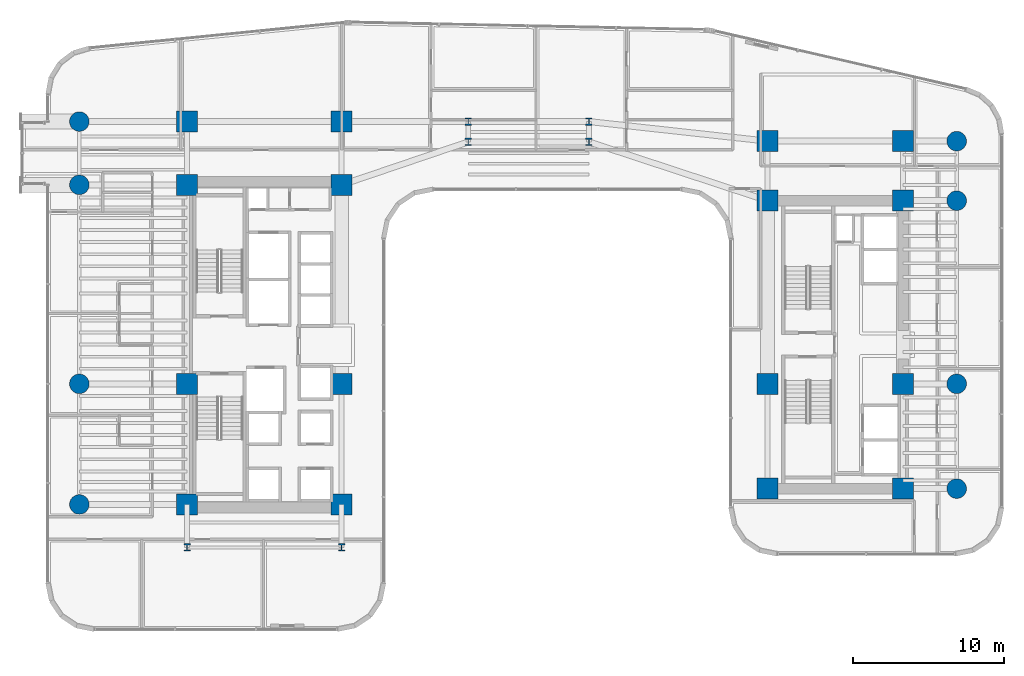
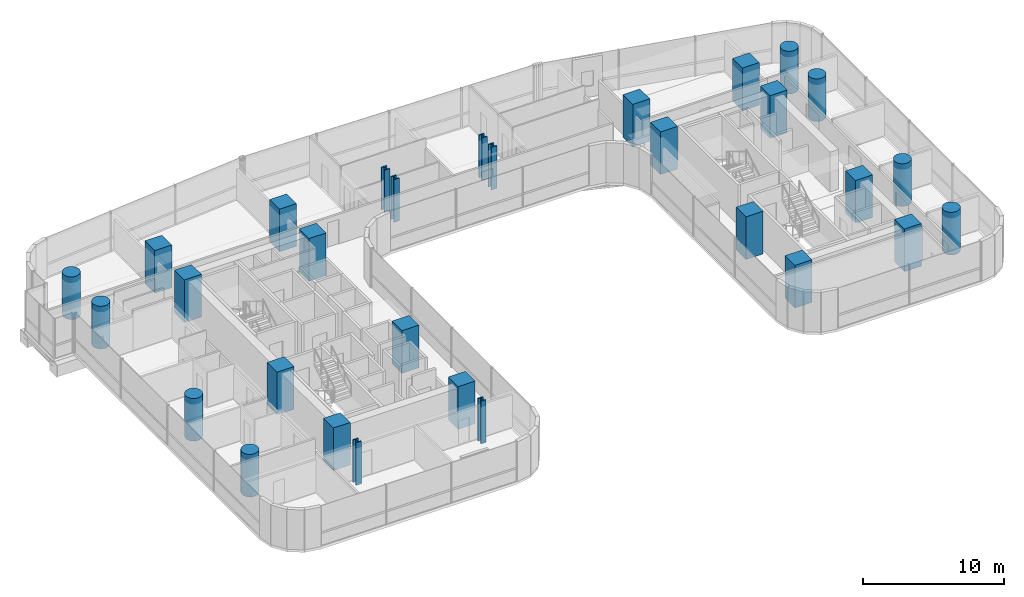
# One storey, part 1 of 41: 30 columns.
"""IFC4 building model written with IfcOpenShell, lengths in metres."""

from ifc_helpers import new_model, si_unit, direction, frame, origin, origin_2d, place, context, subcontext, project, spatial, rectangle, circle, i_section, extrude, source, transform, mapped, material, material_profile, profile_set, type_object, element, save


model = new_model("IFC4")

# Units and contexts
model_context = context("Model", 3, precision=1e-05, world=origin(), true_north=direction((0.0, 1.0)))
body_context = subcontext(model_context, "Body", "Model", "MODEL_VIEW")
ifc_project = project(units=[si_unit("LENGTHUNIT", "METRE"), si_unit("AREAUNIT", "SQUARE_METRE"), si_unit("VOLUMEUNIT", "CUBIC_METRE"), si_unit("PLANEANGLEUNIT", "RADIAN"), si_unit("MASSUNIT", "GRAM", prefix="KILO")], contexts=[model_context])

# Site, building, storey
site_placement = place(None, origin())
site = spatial("IfcSite", under=ifc_project, at=site_placement, CompositionType="ELEMENT")
building_placement = place(site_placement, origin())
building = spatial("IfcBuilding", under=site, at=building_placement, Name="Valdorenza Pilgrim Sanctuary Tower", CompositionType="ELEMENT")
storey_placement = place(building_placement, frame((0.0, 0.0, 88.89990234375)))
storey = spatial("IfcBuildingStorey", under=building, at=storey_placement, Name="L22", CompositionType="ELEMENT", Elevation=88.89990234375)

# Columns
ifc_material_1 = material(Name="Concrete C60/75", Category="concrete")
ifc_material_profile_1 = material_profile(ifc_material_1, circle(Radius=0.64990234375, at=origin_2d()), Name="RC D1300")
ifc_profile_set_1 = profile_set([ifc_material_profile_1], Name="Concrete C60/75")
column_type_1 = type_object("IfcColumnType", Name="COL-RND-1300", PredefinedType="COLUMN", material=ifc_profile_set_1)
shared_shape_1 = source(origin(), body_context, "Body", "SweptSolid", [
    extrude(circle(Radius=0.64990234375, at=origin_2d()), origin(), (0.0, 0.0, 1.0), 3.7001953125),
])
for number, where, z_axis, x_axis, name in (
    (1, (-29.800048828125, -10.60009765625, 0.0), (0.0, 0.0, 1.0), (1.0, 0.0, 0.0), "L22 Perimeter Column WA-W-S1"),
    (2, (-29.800048828125, -2.60009765625, 0.0), (0.0, 0.0, 1.0), (1.0, 0.0, 0.0), "L22 Perimeter Column WA-W-M0"),
    (3, (-29.800048828125, 10.60009765625, 0.0), (0.0, 0.0, 1.0), (1.0, 0.0, 0.0), "L22 Perimeter Column WA-W-N1"),
    (4, (-29.800048828125, 14.800048828125, 0.0), (0.0, 0.0, 1.0), (1.0, 0.0, 0.0), "L22 Perimeter Column WA-W-N2"),
    (5, (28.39990234375, -9.550048828125, 0.0), (0.0, 0.0, 1.0), (1.0, 0.0, 0.0), "L22 Perimeter Column WB-E-S1"),
    (6, (28.39990234375, -2.60009765625, 0.0), (0.0, 0.0, 1.0), (1.0, 0.0, 0.0), "L22 Perimeter Column WB-E-M0"),
    (7, (28.39990234375, 9.550048828125, 0.0), (0.0, 0.0, 1.0), (1.0, 0.0, 0.0), "L22 Perimeter Column WB-E-N1"),
    (8, (28.39990234375, 13.5, 0.0), (0.0, 0.0, 1.0), (1.0, 0.0, 0.0), "L22 Perimeter Column WB-E-N2"),
):
    element("IfcColumn", number, at=place(storey_placement, frame(where, z_axis=z_axis, x_axis=x_axis)), inside=storey, type_object=column_type_1, Name=name, PredefinedType="COLUMN", context=body_context, shape_type="MappedRepresentation", body=[
        mapped(shared_shape_1, transform((0.0, 0.0, 0.0), x_axis=(1.0, 0.0, 0.0), y_axis=(0.0, 1.0, 0.0), z_axis=(0.0, 0.0, 1.0), scale=1.0)),
    ])
ifc_material_profile_2 = material_profile(ifc_material_1, rectangle(XDim=1.39990234375, YDim=1.39990234375, at=origin_2d()), Name="RC 1400x1400")
ifc_profile_set_2 = profile_set([ifc_material_profile_2], Name="Concrete C60/75")
column_type_2 = type_object("IfcColumnType", Name="COL-Z1-1400", PredefinedType="COLUMN", material=ifc_profile_set_2)
shared_shape_2 = source(origin(), body_context, "Body", "SweptSolid", [
    extrude(rectangle(XDim=1.39990234375, YDim=1.39990234375, at=origin_2d()), origin(), (0.0, 0.0, 1.0), 3.7001953125),
])
for number, where, z_axis, x_axis, name in (
    (9, (-22.64990234375, -10.60009765625, 0.0), (0.0, 0.0, 1.0), (1.0, 0.0, 0.0), "L22 Column CA-W-S1"),
    (10, (-12.39990234375, -10.60009765625, 0.0), (0.0, 0.0, 1.0), (1.0, 0.0, 0.0), "L22 Column CA-E-S1"),
    (11, (-22.64990234375, -2.60009765625, 0.0), (0.0, 0.0, 1.0), (1.0, 0.0, 0.0), "L22 Column CA-W-M0"),
    (12, (-12.39990234375, -2.60009765625, 0.0), (0.0, 0.0, 1.0), (1.0, 0.0, 0.0), "L22 Column CA-E-M0"),
    (13, (-22.64990234375, 10.60009765625, 0.0), (0.0, 0.0, 1.0), (1.0, 0.0, 0.0), "L22 Column CA-W-N1"),
    (14, (-12.39990234375, 10.60009765625, 0.0), (0.0, 0.0, 1.0), (1.0, 0.0, 0.0), "L22 Column CA-E-N1"),
    (15, (-22.64990234375, 14.800048828125, 0.0), (0.0, 0.0, 1.0), (1.0, 0.0, 0.0), "L22 Column CA-W-N2"),
    (16, (-12.39990234375, 14.800048828125, 0.0), (0.0, 0.0, 1.0), (1.0, 0.0, 0.0), "L22 Column CA-E-N2"),
    (17, (15.85009765625, -9.550048828125, 0.0), (0.0, 0.0, 1.0), (1.0, 0.0, 0.0), "L22 Column CB-W-S1"),
    (18, (24.85009765625, -9.550048828125, 0.0), (0.0, 0.0, 1.0), (1.0, 0.0, 0.0), "L22 Column CB-E-S1"),
    (19, (15.85009765625, -2.60009765625, 0.0), (0.0, 0.0, 1.0), (1.0, 0.0, 0.0), "L22 Column CB-W-M0"),
    (20, (24.85009765625, -2.60009765625, 0.0), (0.0, 0.0, 1.0), (1.0, 0.0, 0.0), "L22 Column CB-E-M0"),
    (21, (15.85009765625, 9.550048828125, 0.0), (0.0, 0.0, 1.0), (1.0, 0.0, 0.0), "L22 Column CB-W-N1"),
    (22, (24.85009765625, 9.550048828125, 0.0), (0.0, 0.0, 1.0), (1.0, 0.0, 0.0), "L22 Column CB-E-N1"),
    (23, (15.85009765625, 13.5, 0.0), (0.0, 0.0, 1.0), (1.0, 0.0, 0.0), "L22 Column CB-W-N2"),
    (24, (24.85009765625, 13.5, 0.0), (0.0, 0.0, 1.0), (1.0, 0.0, 0.0), "L22 Column CB-E-N2"),
):
    element("IfcColumn", number, at=place(storey_placement, frame(where, z_axis=z_axis, x_axis=x_axis)), inside=storey, type_object=column_type_2, Name=name, PredefinedType="COLUMN", context=body_context, shape_type="MappedRepresentation", body=[
        mapped(shared_shape_2, transform((0.0, 0.0, 0.0), x_axis=(1.0, 0.0, 0.0), y_axis=(0.0, 1.0, 0.0), z_axis=(0.0, 0.0, 1.0), scale=1.0)),
    ])
ifc_material_2 = material(Name="Steel ASTM A992 Grade 50", Category="steel")
ifc_material_profile_3 = material_profile(ifc_material_2, i_section(OverallWidth=0.431884765625, OverallDepth=0.498046875, WebThickness=0.0556640625, FlangeThickness=0.0888671875, at=origin_2d()), Name="W14X500")
ifc_profile_set_3 = profile_set([ifc_material_profile_3], Name="Steel ASTM A992 Grade 50")
column_type_3 = type_object("IfcColumnType", Name="COL-STL-W500", PredefinedType="COLUMN", material=ifc_profile_set_3)
shared_shape_3 = source(origin(), body_context, "Body", "SweptSolid", [
    extrude(i_section(OverallWidth=0.431884765625, OverallDepth=0.498046875, WebThickness=0.0556640625, FlangeThickness=0.0888671875, at=origin_2d()), origin(), (0.0, 0.0, 1.0), 3.7001953125),
])
for number, where, z_axis, x_axis, name in (
    (25, (-22.64990234375, -13.449951171875, 0.0), (0.0, 0.0, 1.0), (1.0, 0.0, 0.0), "L22 Column WA-S-W"),
    (26, (-12.39990234375, -13.449951171875, 0.0), (0.0, 0.0, 1.0), (1.0, 0.0, 0.0), "L22 Column WA-S-E"),
    (27, (-4.0, 13.449951171875, 0.0), (0.0, 0.0, 1.0), (1.0, 0.0, 0.0), "L22 Column KNK-W1"),
    (28, (-4.0, 14.800048828125, 0.0), (0.0, 0.0, 1.0), (1.0, 0.0, 0.0), "L22 Column KNK-W2"),
    (29, (4.0, 13.449951171875, 0.0), (0.0, 0.0, 1.0), (1.0, 0.0, 0.0), "L22 Column KNK-E1"),
    (30, (4.0, 14.800048828125, 0.0), (0.0, 0.0, 1.0), (1.0, 0.0, 0.0), "L22 Column KNK-E2"),
):
    element("IfcColumn", number, at=place(storey_placement, frame(where, z_axis=z_axis, x_axis=x_axis)), inside=storey, type_object=column_type_3, Name=name, PredefinedType="COLUMN", context=body_context, shape_type="MappedRepresentation", body=[
        mapped(shared_shape_3, transform((0.0, 0.0, 0.0), x_axis=(1.0, 0.0, 0.0), y_axis=(0.0, 1.0, 0.0), z_axis=(0.0, 0.0, 1.0), scale=1.0)),
    ])

save(model, "model.ifc")
